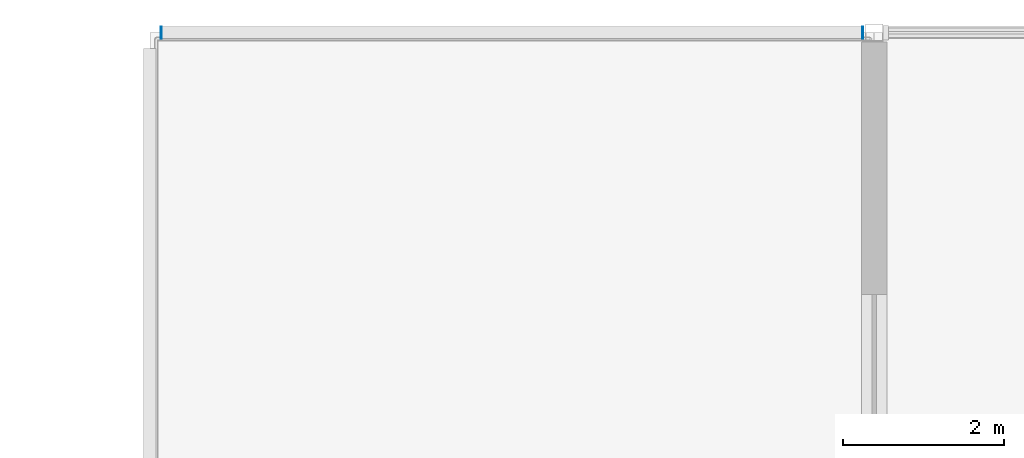
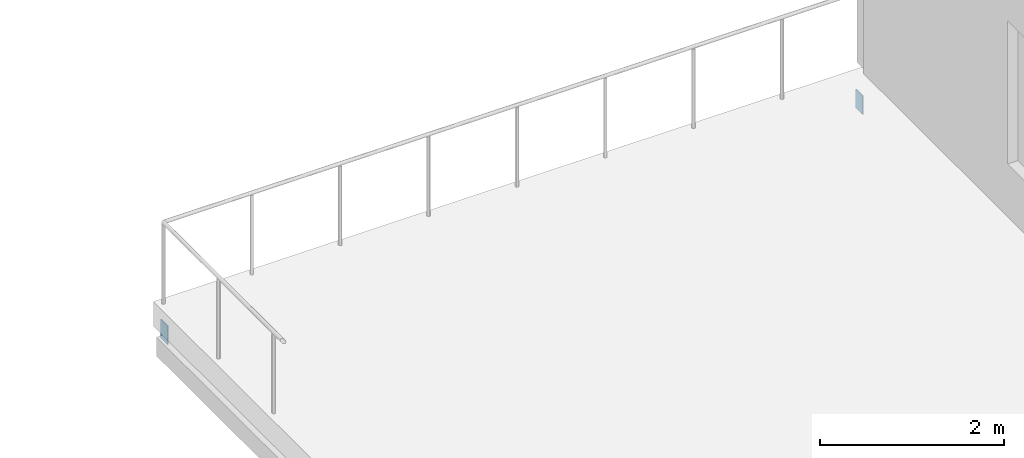
# One storey, part 41 of 55: 2 discrete accessories.
"""IFC4 building model written with IfcOpenShell, lengths in metres."""

from ifc_helpers import new_model, si_unit, direction, frame, origin, place, context, subcontext, project, spatial, polyline, outline, extrude, material, layer, layer_set, type_object, element, save


model = new_model("IFC4")

# Units and contexts
model_context = context("Model", 3, precision=1e-05, world=origin(), true_north=direction((0.0, 1.0)))
body_context = subcontext(model_context, "Body", "Model", "MODEL_VIEW")
ifc_project = project(units=[si_unit("LENGTHUNIT", "METRE"), si_unit("AREAUNIT", "SQUARE_METRE"), si_unit("VOLUMEUNIT", "CUBIC_METRE"), si_unit("PLANEANGLEUNIT", "RADIAN"), si_unit("MASSUNIT", "GRAM", prefix="KILO")], contexts=[model_context])

# Site, building, storey
site_placement = place(None, origin())
site = spatial("IfcSite", under=ifc_project, at=site_placement, CompositionType="ELEMENT")
building_placement = place(site_placement, origin())
building = spatial("IfcBuilding", under=site, at=building_placement, Name="Kisiwana Market Hall", CompositionType="ELEMENT")
storey_placement = place(building_placement, frame((0.0, 0.0, 37.800048828125)))
storey = spatial("IfcBuildingStorey", under=building, at=storey_placement, Name="L08", CompositionType="ELEMENT", Elevation=37.800048828125)

# Discrete accessories
ifc_material = material(Name="Steel S355", Category="steel")
ifc_layer = layer(ifc_material, 0.011962890625)
ifc_layer_set = layer_set([ifc_layer], Name="ACC-ENDCAP-STL")
discrete_accessory_type = type_object("IfcDiscreteAccessoryType", Name="ACC-ENDCAP-STL", PredefinedType="USERDEFINED", material=ifc_layer_set)
discrete_accessory_1_placement = place(storey_placement, frame((0.0, 0.0, -0.574951171875)))
element("IfcDiscreteAccessory", 1, at=discrete_accessory_1_placement, inside=storey, type_object=discrete_accessory_type, Name="End cap plate EC-0113", ObjectType="End cap plate", PredefinedType="USERDEFINED", context=body_context, shape_type="SweptSolid", body=[
    extrude(outline(polyline([(161.85400390625, 110.925048828125), (161.865966796875, 110.925048828125), (161.865966796875, 111.074951171875), (161.85400390625, 111.074951171875), (161.85400390625, 110.925048828125)])), origin(), (0.0, 0.0, 1.0), 0.25),
])
discrete_accessory_2_placement = place(storey_placement, frame((0.0, 0.0, -0.574951171875)))
element("IfcDiscreteAccessory", 2, at=discrete_accessory_2_placement, inside=storey, type_object=discrete_accessory_type, Name="End cap plate EC-0114", ObjectType="End cap plate", PredefinedType="USERDEFINED", context=body_context, shape_type="SweptSolid", body=[
    extrude(outline(polyline([(153.14599609375, 110.925048828125), (153.14599609375, 111.074951171875), (153.134033203125, 111.074951171875), (153.134033203125, 110.925048828125), (153.14599609375, 110.925048828125)])), origin(), (0.0, 0.0, 1.0), 0.25),
])

save(model, "model.ifc")
